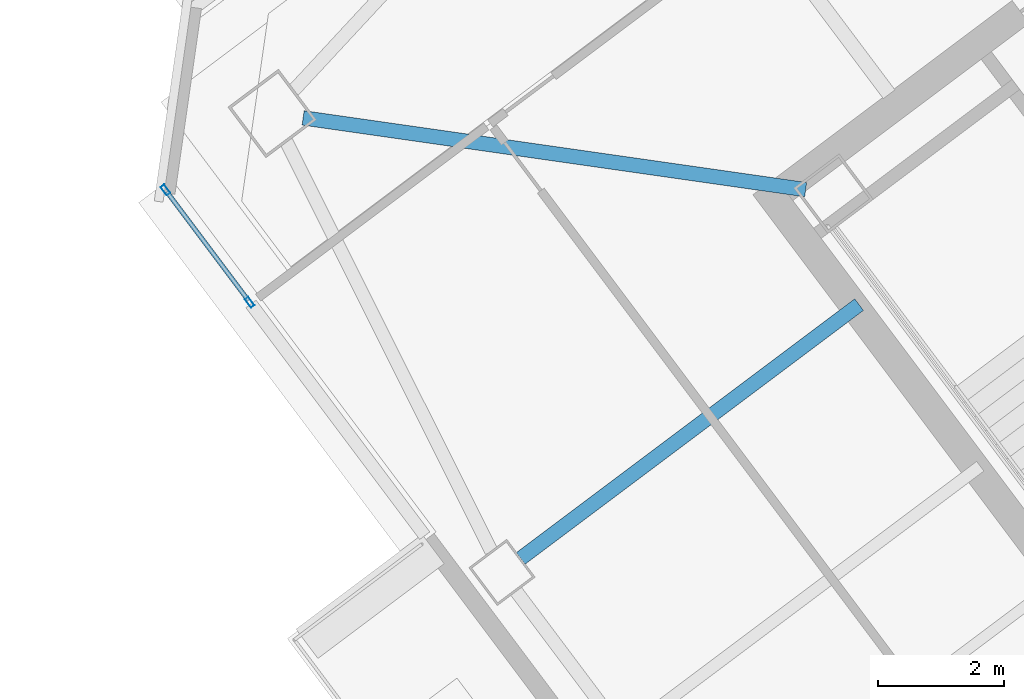
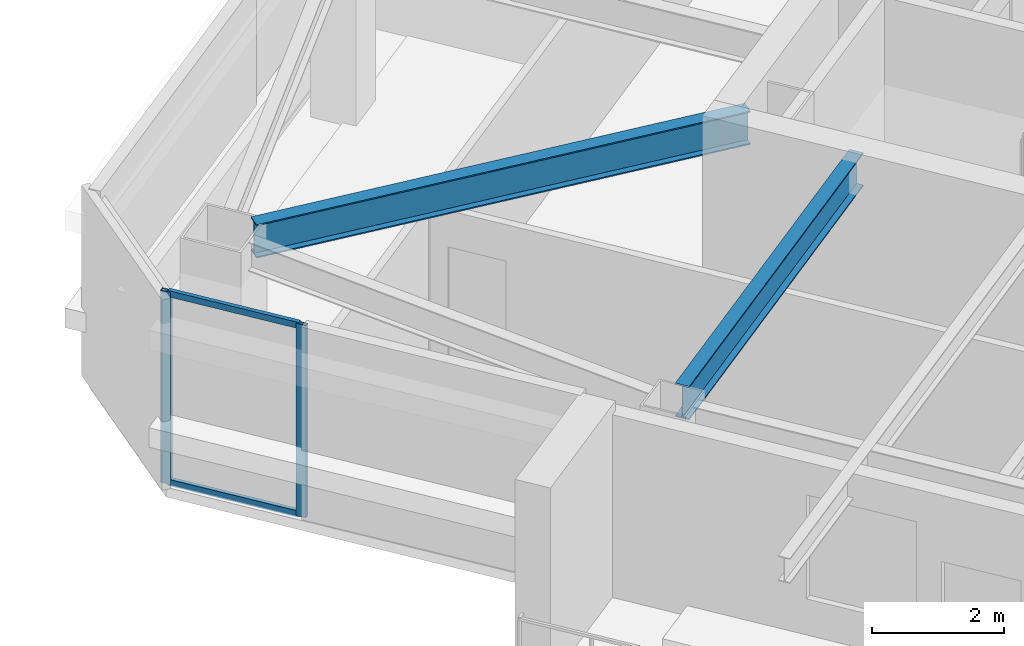
# One storey, part 20 of 40: 4 members, 2 beams, 1 element without a shape of its own.
"""IFC4 building model written with IfcOpenShell, lengths in metres."""

from ifc_helpers import new_model, si_unit, direction, frame, origin, origin_2d, place, context, subcontext, project, spatial, hollow_rectangle, i_section, extrude, material, material_profile, profile_set, type_object, element, aggregate, save


model = new_model("IFC4")

# Units and contexts
model_context = context("Model", 3, precision=1e-05, world=origin(), true_north=direction((0.0, 1.0)))
body_context = subcontext(model_context, "Body", "Model", "MODEL_VIEW")
ifc_project = project(units=[si_unit("LENGTHUNIT", "METRE"), si_unit("AREAUNIT", "SQUARE_METRE"), si_unit("VOLUMEUNIT", "CUBIC_METRE"), si_unit("PLANEANGLEUNIT", "RADIAN"), si_unit("MASSUNIT", "GRAM", prefix="KILO")], contexts=[model_context])

# Site, building, storey
site_placement = place(None, origin())
site = spatial("IfcSite", under=ifc_project, at=site_placement, CompositionType="ELEMENT")
building_placement = place(site_placement, origin())
building = spatial("IfcBuilding", under=site, at=building_placement, Name="Tashvorn Skyway Center", CompositionType="ELEMENT")
storey_placement = place(building_placement, frame((0.0, 0.0, 221.949951171875)))
storey = spatial("IfcBuildingStorey", under=building, at=storey_placement, Name="L60", CompositionType="ELEMENT", Elevation=221.949951171875)

# Beams
ifc_material_1 = material(Name="Steel ASTM A992 Grade 50", Category="steel")
ifc_material_profile_1 = material_profile(ifc_material_1, i_section(OverallWidth=0.22998046875, OverallDepth=0.616943359375, WebThickness=0.01318359375, FlangeThickness=0.022216796875, at=origin_2d()), Name="W24X94")
ifc_profile_set_1 = profile_set([ifc_material_profile_1], Name="Steel ASTM A992 Grade 50")
beam_type = type_object("IfcBeamType", Name="BM-BEAM-W24X94", PredefinedType="BEAM", material=ifc_profile_set_1)
beam_1_placement = place(storey_placement, frame((95.72998046875, 34.610107421875, 3.0615234375), z_axis=(0.989947064346, -0.141438360399, 0.0), x_axis=(0.141438360399, 0.989947064346, 0.0)))
element("IfcBeam", 1, at=beam_1_placement, inside=storey, type_object=beam_type, Name="Tower 2 L60 Primary Floor Girder MC-NW", PredefinedType="BEAM", context=body_context, shape_type="SweptSolid", body=[
    extrude(i_section(OverallWidth=0.22998046875, OverallDepth=0.616943359375, WebThickness=0.01318359375, FlangeThickness=0.022216796875, at=origin_2d()), origin(), (0.0, 0.0, 1.0), 8.040283203125),
])
beam_2_placement = place(storey_placement, frame((99.176025390625, 27.632080078125, 3.0615234375), z_axis=(0.799991254452, 0.600011660554, 0.0), x_axis=(-0.600011660554, 0.799991254452, 0.0)))
element("IfcBeam", 2, at=beam_2_placement, inside=storey, type_object=beam_type, Name="Tower 2 L60 Primary Floor Girder FC-W1", PredefinedType="BEAM", context=body_context, shape_type="SweptSolid", body=[
    extrude(i_section(OverallWidth=0.22998046875, OverallDepth=0.616943359375, WebThickness=0.01318359375, FlangeThickness=0.022216796875, at=origin_2d()), origin(), (0.0, 0.0, 1.0), 6.699951171875),
])

# Curtain wall, members
ifc_material_2 = material(Name="Thermally broken bronze-anodized aluminium 6063-T6", Category="aluminium")
curtain_wall_type = type_object("IfcCurtainWallType", Name="CW-CW-Z5", PredefinedType="NOTDEFINED", material=ifc_material_2)
curtain_wall_placement = place(storey_placement, origin())
curtain_wall = element("IfcCurtainWall", 3, at=curtain_wall_placement, inside=storey, type_object=curtain_wall_type, Name="Tower 2 L60 West Curtain Wall R Glazing Group 1", PredefinedType="NOTDEFINED")
ifc_material_profile_2 = material_profile(ifc_material_2, hollow_rectangle(XDim=0.070068359375, YDim=0.1650390625, WallThickness=0.00390625, at=origin_2d()), Name="ALU-MULL-70x165")
ifc_profile_set_2 = profile_set([ifc_material_profile_2], Name="Thermally broken bronze-anodized aluminium 6063-T6")
member_type_1 = type_object("IfcMemberType", Name="CWM-CW-Z5", PredefinedType="MULLION", material=ifc_profile_set_2)
member_1_placement = place(storey_placement, frame((94.883056640625, 31.689208984375, 0.0), z_axis=(0.0, 0.0, 1.0), x_axis=(-0.800005232469, -0.599993023312, 0.0)))
member_1 = element("IfcMember", 4, at=member_1_placement, type_object=member_type_1, Name="CW-Z5 mullion 1", PredefinedType="MULLION", context=body_context, shape_type="SweptSolid", body=[
    extrude(hollow_rectangle(XDim=0.070068359375, YDim=0.1650390625, WallThickness=0.00390625, at=origin_2d()), origin(), (0.0, 0.0, 1.0), 3.550048828125),
])
member_2_placement = place(storey_placement, frame((93.549072265625, 33.468017578125, 0.0), z_axis=(0.0, 0.0, 1.0), x_axis=(-0.800005232469, -0.599993023312, 0.0)))
member_2 = element("IfcMember", 5, at=member_2_placement, type_object=member_type_1, Name="CW-Z5 mullion 2", PredefinedType="MULLION", context=body_context, shape_type="SweptSolid", body=[
    extrude(hollow_rectangle(XDim=0.070068359375, YDim=0.1650390625, WallThickness=0.00390625, at=origin_2d()), origin(), (0.0, 0.0, 1.0), 3.550048828125),
])
ifc_material_profile_3 = material_profile(ifc_material_2, hollow_rectangle(XDim=0.070068359375, YDim=0.114990234375, WallThickness=0.00390625, at=origin_2d()), Name="ALU-TRAN-70x115")
ifc_profile_set_3 = profile_set([ifc_material_profile_3], Name="Thermally broken bronze-anodized aluminium 6063-T6")
member_type_2 = type_object("IfcMemberType", Name="CWT-CW-Z5", PredefinedType="USERDEFINED", material=ifc_profile_set_3)
member_3_placement = place(storey_placement, frame((94.862060546875, 31.71728515625, 0.03515625), z_axis=(-0.6, 0.8, 0.0), x_axis=(-0.8, -0.6, 0.0)))
member_3 = element("IfcMember", 6, at=member_3_placement, type_object=member_type_2, Name="CW-Z5 transom 1.1", ObjectType="TRANSOM", PredefinedType="USERDEFINED", context=body_context, shape_type="SweptSolid", body=[
    extrude(hollow_rectangle(XDim=0.070068359375, YDim=0.114990234375, WallThickness=0.00390625, at=origin_2d()), origin(), (0.0, 0.0, 1.0), 2.1533203125),
])
member_4_placement = place(storey_placement, frame((94.862060546875, 31.71728515625, 3.51513671875), z_axis=(-0.6, 0.8, 0.0), x_axis=(-0.8, -0.6, 0.0)))
member_4 = element("IfcMember", 7, at=member_4_placement, type_object=member_type_2, Name="CW-Z5 transom 1.2", ObjectType="TRANSOM", PredefinedType="USERDEFINED", context=body_context, shape_type="SweptSolid", body=[
    extrude(hollow_rectangle(XDim=0.070068359375, YDim=0.114990234375, WallThickness=0.00390625, at=origin_2d()), origin(), (0.0, 0.0, 1.0), 2.1533203125),
])
aggregate(curtain_wall, [member_1, member_2, member_3, member_4])

save(model, "model.ifc")
